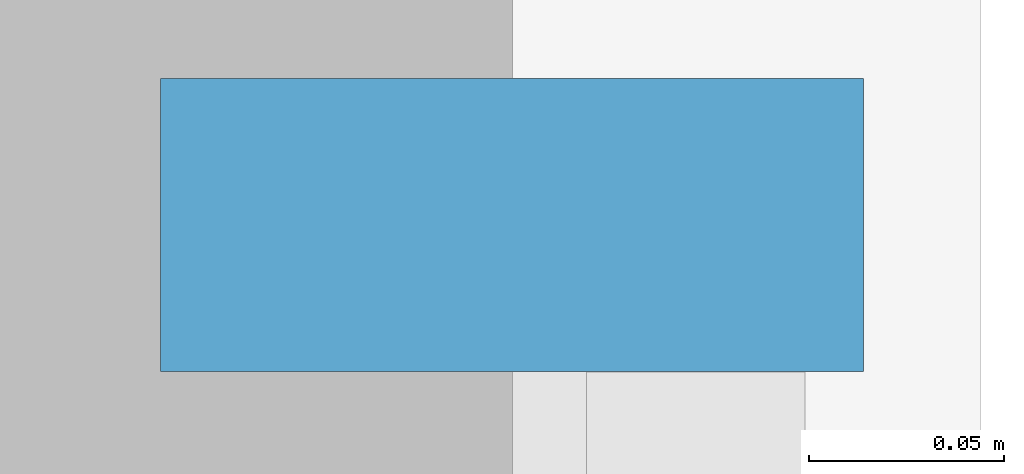
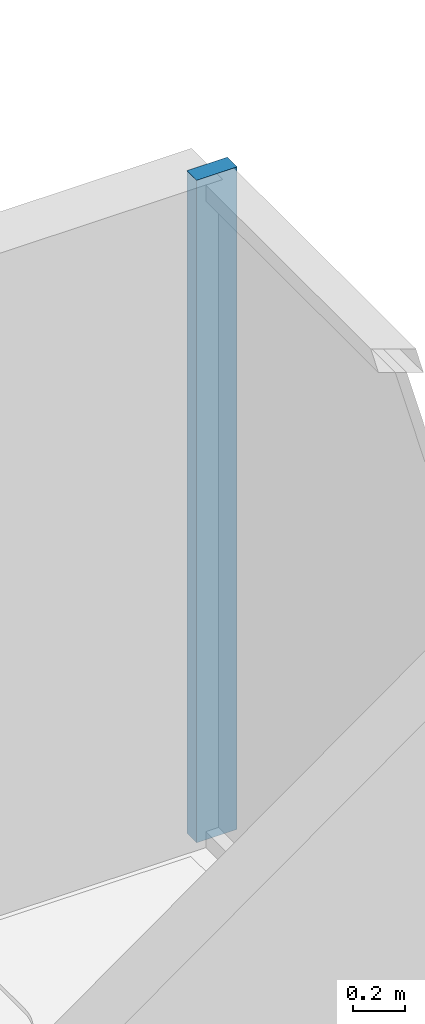
# One storey, part 6 of 13: 1 member, 1 element without a shape of its own.
"""IFC4 building model written with IfcOpenShell, lengths in metres."""

from ifc_helpers import new_model, si_unit, direction, frame, origin, origin_2d, place, context, subcontext, project, spatial, rectangle, extrude, source, transform, mapped, material, layer, layer_set, material_profile, profile_set, type_object, element, aggregate, save


model = new_model("IFC4")

# Units and contexts
model_context = context("Model", 3, precision=1e-05, world=origin(), true_north=direction((0.0, 1.0)))
body_context = subcontext(model_context, "Body", "Model", "MODEL_VIEW")
ifc_project = project(units=[si_unit("LENGTHUNIT", "METRE"), si_unit("AREAUNIT", "SQUARE_METRE"), si_unit("VOLUMEUNIT", "CUBIC_METRE"), si_unit("PLANEANGLEUNIT", "RADIAN"), si_unit("MASSUNIT", "GRAM", prefix="KILO")], contexts=[model_context])

# Site, building, storey
site_placement = place(None, origin())
site = spatial("IfcSite", under=ifc_project, at=site_placement, CompositionType="ELEMENT")
building_placement = place(site_placement, origin())
building = spatial("IfcBuilding", under=site, at=building_placement, Name="Qianlan Lanfeng Residences", CompositionType="ELEMENT")
storey_placement = place(building_placement, frame((0.0, 0.0, 139.199951171875)))
storey = spatial("IfcBuildingStorey", under=building, at=storey_placement, Name="L37", CompositionType="ELEMENT", Elevation=139.199951171875)

# Curtain wall, member
ifc_material = material(Name="Anodised Bronze Aluminium 6063-T6", Category="aluminium")
ifc_layer = layer(ifc_material, 0.219970703125)
ifc_layer_set = layer_set([ifc_layer], Name="Anodised Bronze Aluminium 6063-T6")
curtain_wall_type = type_object("IfcCurtainWallType", Name="CW-04", PredefinedType="NOTDEFINED", material=ifc_layer_set)
curtain_wall_placement = place(storey_placement, origin())
curtain_wall = element("IfcCurtainWall", 1, at=curtain_wall_placement, inside=storey, type_object=curtain_wall_type, Name="L37 Unitised Curtain Wall CWR-L37-05 (CW-04)", PredefinedType="NOTDEFINED")
ifc_material_profile = material_profile(ifc_material, rectangle(XDim=0.074951171875, YDim=0.179931640625, at=origin_2d()), Name="ALU MULLION 75x180")
ifc_profile_set = profile_set([ifc_material_profile], Name="Anodised Bronze Aluminium 6063-T6")
member_type = type_object("IfcMemberType", Name="CWM-180", PredefinedType="MULLION", material=ifc_profile_set)
shared_shape = source(origin(), body_context, "Body", "SweptSolid", [
    extrude(rectangle(XDim=0.074951171875, YDim=0.179931640625, at=origin_2d()), origin(), (0.0, 0.0, 1.0), 3.10009765625),
])
member_placement = place(storey_placement, frame((48.679931640625, 35.892578125, 0.0), z_axis=(0.0, 0.0, 1.0), x_axis=(0.0, 1.0, 0.0)))
member = element("IfcMember", 2, at=member_placement, type_object=member_type, Name="CWR-L37-05 Mullion 3", PredefinedType="MULLION", context=body_context, shape_type="MappedRepresentation", body=[
    mapped(shared_shape, transform((0.0, 0.0, 0.0), scale=1.0)),
])
aggregate(curtain_wall, [member])

save(model, "model.ifc")
